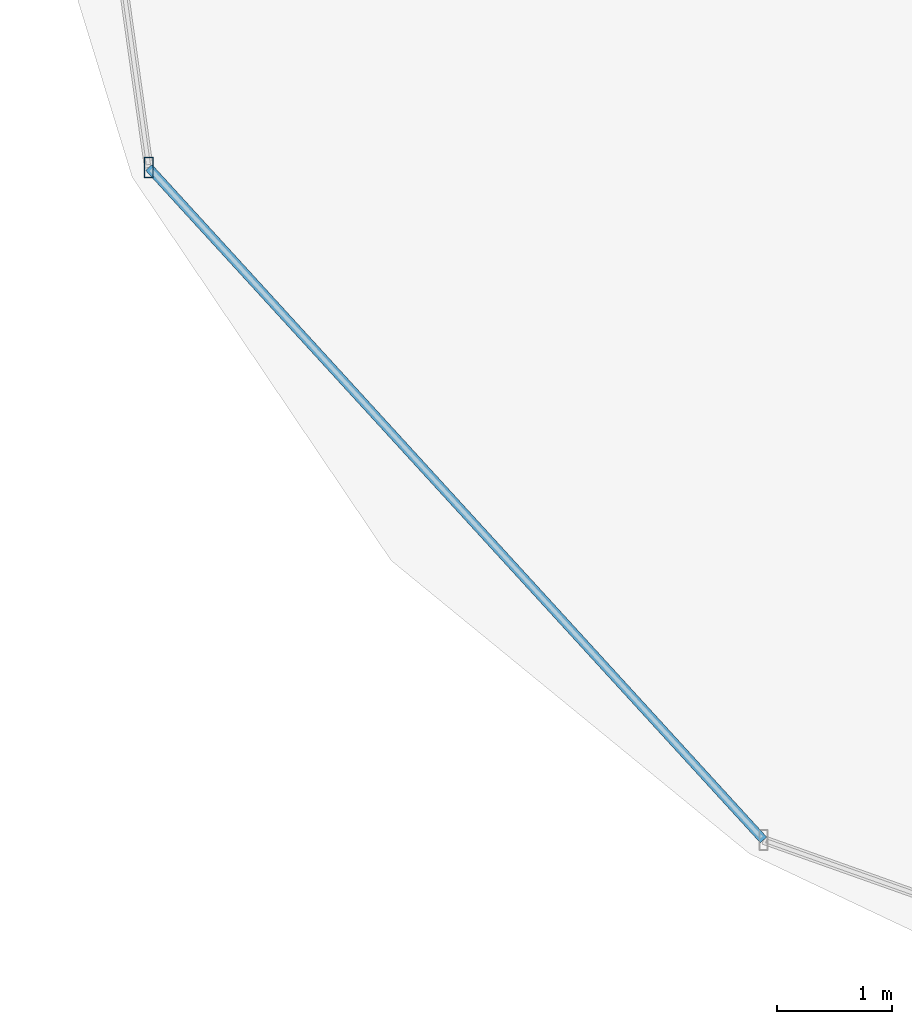
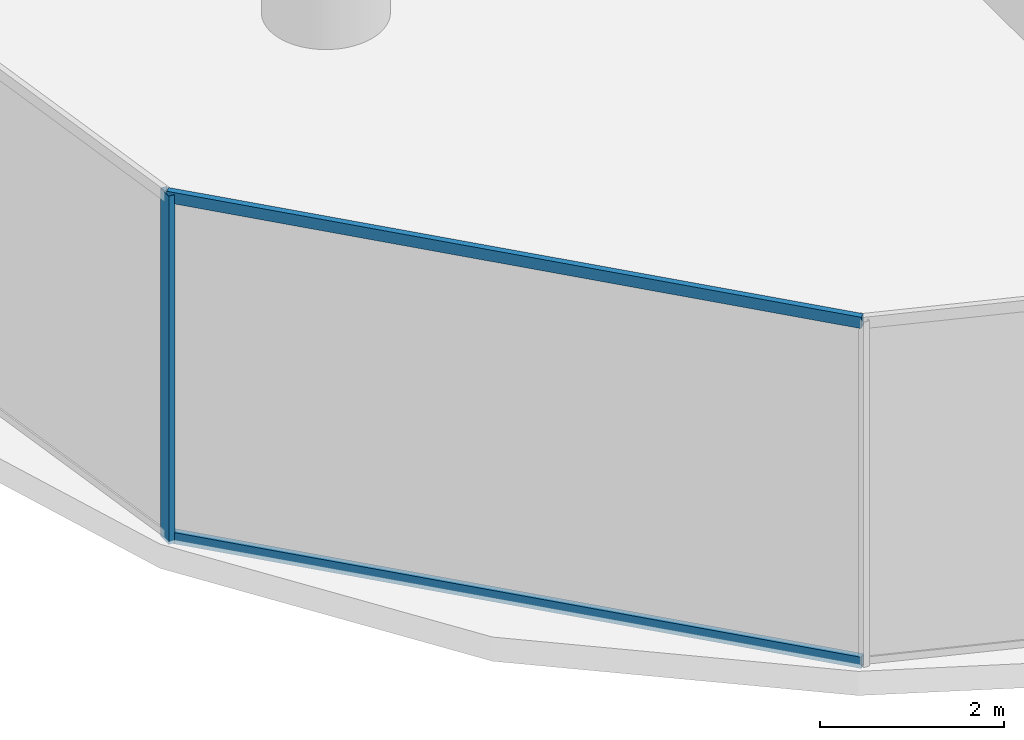
# One storey, part 3 of 32: 3 members, 1 element without a shape of its own.
"""IFC4 building model written with IfcOpenShell, lengths in metres."""

from ifc_helpers import new_model, si_unit, direction, frame, origin, origin_2d, place, context, subcontext, project, spatial, hollow_rectangle, extrude, material, material_profile, profile_set, type_object, element, aggregate, save


model = new_model("IFC4")

# Units and contexts
model_context = context("Model", 3, precision=1e-05, world=origin(), true_north=direction((0.0, 1.0)))
body_context = subcontext(model_context, "Body", "Model", "MODEL_VIEW")
ifc_project = project(units=[si_unit("LENGTHUNIT", "METRE"), si_unit("AREAUNIT", "SQUARE_METRE"), si_unit("VOLUMEUNIT", "CUBIC_METRE"), si_unit("PLANEANGLEUNIT", "RADIAN"), si_unit("MASSUNIT", "GRAM", prefix="KILO")], contexts=[model_context])

# Site, building, storey
site_placement = place(None, origin())
site = spatial("IfcSite", under=ifc_project, at=site_placement, CompositionType="ELEMENT")
building_placement = place(site_placement, origin())
building = spatial("IfcBuilding", under=site, at=building_placement, Name="Vorneva Point Tower", CompositionType="ELEMENT")
storey_placement = place(building_placement, frame((0.0, 0.0, 19.199951171875)))
storey = spatial("IfcBuildingStorey", under=building, at=storey_placement, Name="L04", CompositionType="ELEMENT", Elevation=19.199951171875)

# Curtain wall, members
ifc_material = material(Name="Pale anodised aluminium", Category="aluminium")
curtain_wall_type = type_object("IfcCurtainWallType", Name="CW-POD-SYS", PredefinedType="NOTDEFINED", material=ifc_material)
curtain_wall_placement = place(storey_placement, origin())
curtain_wall = element("IfcCurtainWall", 1, at=curtain_wall_placement, inside=storey, type_object=curtain_wall_type, Name="L04 Unitised Curtain Wall CW-L04-R03", PredefinedType="NOTDEFINED")
ifc_material_profile_1 = material_profile(ifc_material, hollow_rectangle(XDim=0.074951171875, YDim=0.179931640625, WallThickness=0.00390625, at=origin_2d()), Name="AL-MUL 180x75x4")
ifc_profile_set_1 = profile_set([ifc_material_profile_1], Name="Pale anodised aluminium")
member_type_1 = type_object("IfcMemberType", Name="CW-MUL-180", PredefinedType="MULLION", material=ifc_profile_set_1)
member_1_placement = place(storey_placement, frame((5.250244140625, 13.109130859375, -0.0400390625), z_axis=(0.0, 0.0, 1.0), x_axis=(1.0, 0.0, 0.0)))
member_1 = element("IfcMember", 2, at=member_1_placement, type_object=member_type_1, Name="CW-L04-R03 Mullion 04", PredefinedType="MULLION", context=body_context, shape_type="SweptSolid", body=[
    extrude(hollow_rectangle(XDim=0.074951171875, YDim=0.179931640625, WallThickness=0.00390625, at=origin_2d()), origin(), (0.0, 0.0, 1.0), 4.610107421875),
])
ifc_material_profile_2 = material_profile(ifc_material, hollow_rectangle(XDim=0.074951171875, YDim=0.14990234375, WallThickness=0.00390625, at=origin_2d()), Name="AL-TRN 150x75x4")
ifc_profile_set_2 = profile_set([ifc_material_profile_2], Name="Pale anodised aluminium")
member_type_2 = type_object("IfcMemberType", Name="CW-TRN-150", PredefinedType="USERDEFINED", material=ifc_profile_set_2)
member_2_placement = place(storey_placement, frame((5.250244140625, 13.109130859375, 0.02001953125), z_axis=(0.674755734316, -0.738041122843, 0.0), x_axis=(0.738041122843, 0.674755734316, 0.0)))
member_2 = element("IfcMember", 3, at=member_2_placement, type_object=member_type_2, Name="CW-L04-R03 Transom 04.1", ObjectType="TRANSOM", PredefinedType="USERDEFINED", context=body_context, shape_type="SweptSolid", body=[
    extrude(hollow_rectangle(XDim=0.074951171875, YDim=0.14990234375, WallThickness=0.00390625, at=origin_2d()), origin(), (0.0, 0.0, 1.0), 7.900634765625),
])
member_3_placement = place(storey_placement, frame((5.250244140625, 13.109130859375, 4.52001953125), z_axis=(0.674755734316, -0.738041122843, 0.0), x_axis=(0.738041122843, 0.674755734316, 0.0)))
member_3 = element("IfcMember", 4, at=member_3_placement, type_object=member_type_2, Name="CW-L04-R03 Transom 04.2", ObjectType="TRANSOM", PredefinedType="USERDEFINED", context=body_context, shape_type="SweptSolid", body=[
    extrude(hollow_rectangle(XDim=0.074951171875, YDim=0.14990234375, WallThickness=0.00390625, at=origin_2d()), origin(), (0.0, 0.0, 1.0), 7.900634765625),
])
aggregate(curtain_wall, [member_1, member_2, member_3])

save(model, "model.ifc")
